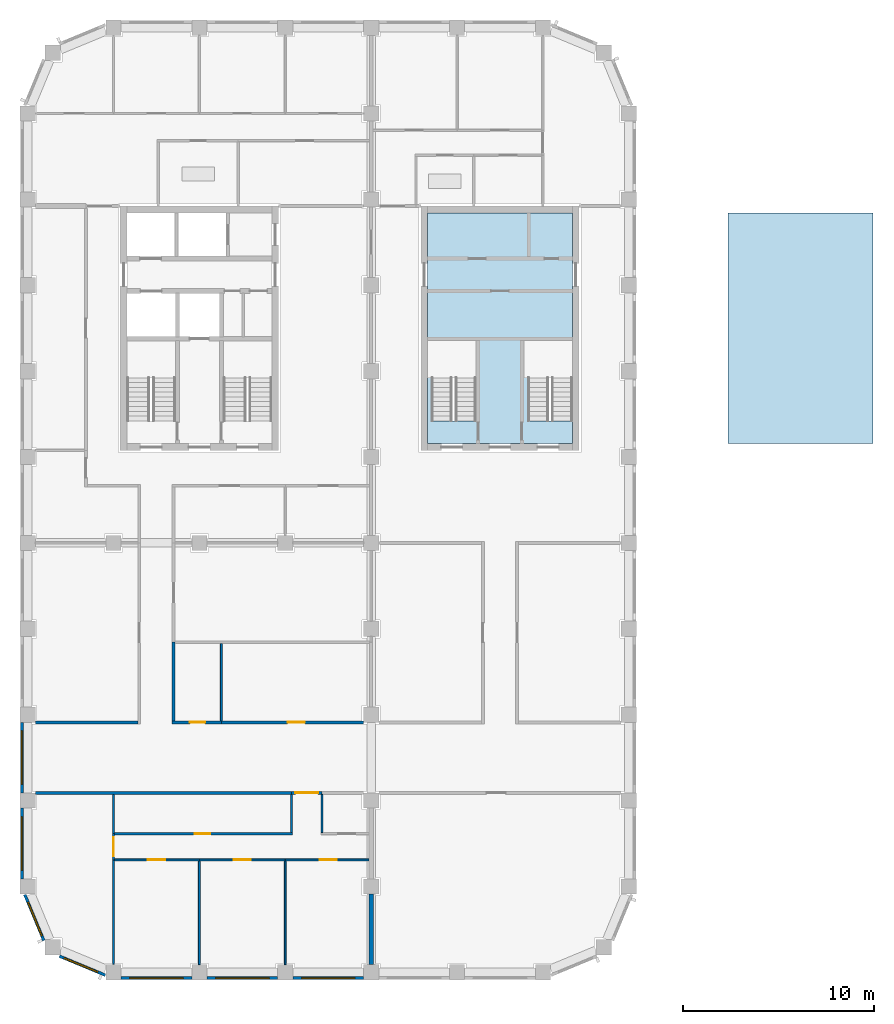
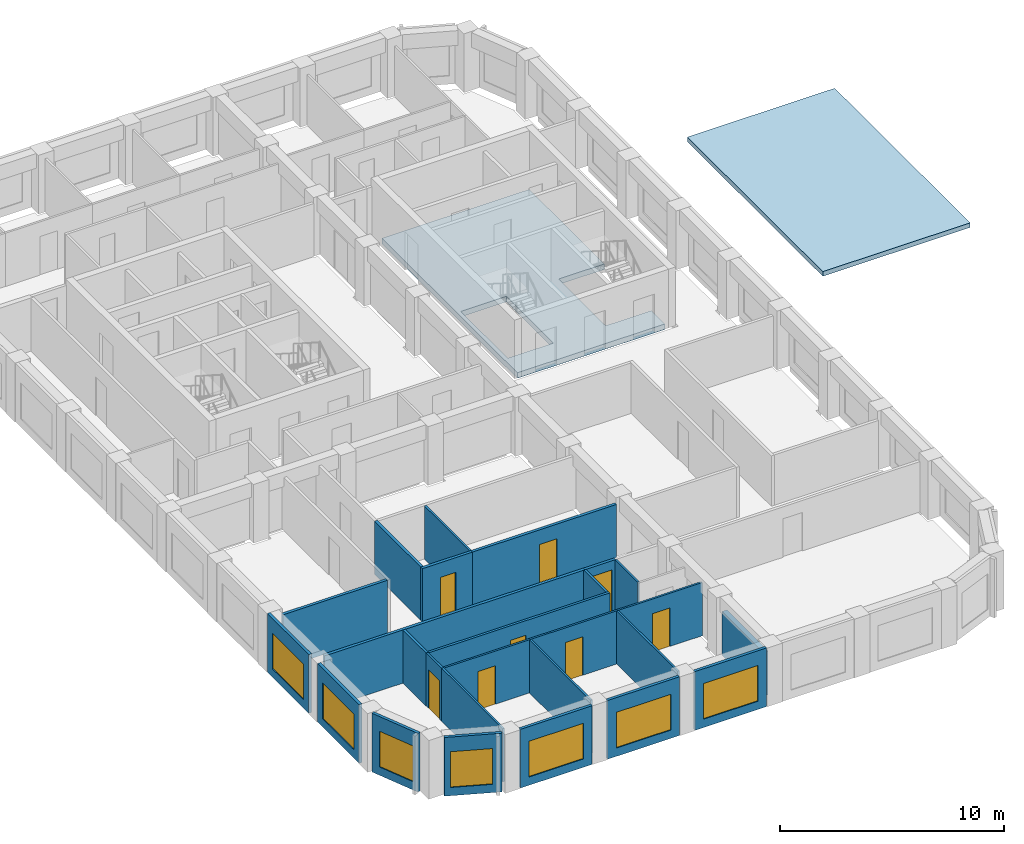
# One storey, part 2 of 9: 26 walls, 8 doors, 7 windows, 2 slabs, 15 openings.
"""IFC4 building model written with IfcOpenShell, lengths in metres."""

from ifc_helpers import new_model, si_unit, direction, frame, frame_2d, origin, place, context, subcontext, project, spatial, polyline, rectangle, outline, extrude, material, layer, layer_set, type_object, element, fill, save


model = new_model("IFC4")

# Units and contexts
model_context = context("Model", 3, precision=1e-05, world=origin(), true_north=direction((0.0, 1.0)))
body_context = subcontext(model_context, "Body", "Model", "MODEL_VIEW")
ifc_project = project(units=[si_unit("LENGTHUNIT", "METRE"), si_unit("AREAUNIT", "SQUARE_METRE"), si_unit("VOLUMEUNIT", "CUBIC_METRE"), si_unit("PLANEANGLEUNIT", "RADIAN"), si_unit("MASSUNIT", "GRAM", prefix="KILO")], contexts=[model_context])

# Site, building, storey
site_placement = place(None, origin())
site = spatial("IfcSite", under=ifc_project, at=site_placement, CompositionType="ELEMENT")
building_placement = place(site_placement, origin())
building = spatial("IfcBuilding", under=site, at=building_placement, Name="Girih Gate Residences", CompositionType="ELEMENT")
storey_placement = place(building_placement, frame((0.0, 0.0, 179.5)))
storey = spatial("IfcBuildingStorey", under=building, at=storey_placement, Name="L49", CompositionType="ELEMENT", Elevation=179.5)

# Slabs
ifc_material_1 = material(Name="Concrete C40/50", Category="concrete")
ifc_layer_1 = layer(ifc_material_1, 0.300048828125)
ifc_layer_set_1 = layer_set([ifc_layer_1], Name="Core floor slab 300")
slab_type_1 = type_object("IfcSlabType", Name="Core floor slab 300", PredefinedType="FLOOR", material=ifc_layer_set_1)
slab_1_placement = place(storey_placement, frame((0.0, 0.0, -0.300048828125)))
element("IfcSlab", 1, at=slab_1_placement, inside=storey, type_object=slab_type_1, Name="L49 C core floor", PredefinedType="FLOOR", context=body_context, shape_type="SweptSolid", body=[
    extrude(outline(polyline([(28.550048828125, 27.699951171875), (20.949951171875, 27.699951171875), (20.949951171875, 39.800048828125), (28.550048828125, 39.800048828125), (28.550048828125, 33.10009765625), (26.199951171875, 33.10009765625), (26.199951171875, 28.900634765625), (28.550048828125, 28.900634765625), (28.550048828125, 27.699951171875)]), holes=[polyline([(23.5, 28.900634765625), (23.5, 33.10009765625), (21.14990234375, 33.10009765625), (21.14990234375, 28.900634765625), (23.5, 28.900634765625)])]), origin(), (0.0, 0.0, 1.0), 0.300048828125),
])
ifc_layer_2 = layer(ifc_material_1, 0.25)
ifc_layer_set_2 = layer_set([ifc_layer_2], Name="Roof slab RC 250 Concrete C40/50")
slab_type_2 = type_object("IfcSlabType", Name="Roof slab RC 250 Concrete C40/50", PredefinedType="ROOF", material=ifc_layer_set_2)
slab_2_placement = place(storey_placement, frame((0.0, 0.0, -0.25)))
element("IfcSlab", 2, at=slab_2_placement, inside=storey, type_object=slab_type_2, Name="Roof slab L49 E", PredefinedType="ROOF", context=body_context, shape_type="SweptSolid", body=[
    extrude(outline(polyline([(44.300048828125, 27.699951171875), (44.300048828125, 39.800048828125), (36.699951171875, 39.800048828125), (36.699951171875, 27.699951171875), (44.300048828125, 27.699951171875)])), origin(), (0.0, 0.0, 1.0), 0.25),
])

# Wall
ifc_material_2 = material(Name="Gypsum board on steel studs", Category="steel")
ifc_layer_3 = layer(ifc_material_2, 0.25)
ifc_layer_set_3 = layer_set([ifc_layer_3], Name="Acoustic separating wall 250 mm")
wall_type_1 = type_object("IfcWallType", Name="Acoustic separating wall 250 mm", PredefinedType="PARTITIONING", material=ifc_layer_set_3)
wall_1_placement = place(storey_placement, frame((18.0, 0.39990234375, 0.0), z_axis=(0.0, 0.0, 1.0), x_axis=(0.0, 1.0, 0.0)))
element("IfcWall", 3, at=wall_1_placement, inside=storey, type_object=wall_type_1, Name="L49 partition", PredefinedType="PARTITIONING", context=body_context, shape_type="SweptSolid", body=[
    extrude(rectangle(XDim=3.7001953125, YDim=0.25, at=frame_2d((1.85009765625, 0.0))), origin(), (0.0, 0.0, 1.0), 2.3798828125),
])

# Wall, opening, door
ifc_layer_4 = layer(ifc_material_2, 0.14990234375)
ifc_layer_set_4 = layer_set([ifc_layer_4], Name="Compartment wall 150 mm")
wall_type_2 = type_object("IfcWallType", Name="Compartment wall 150 mm", PredefinedType="PARTITIONING", material=ifc_layer_set_4)
wall_2_placement = place(storey_placement, frame((15.425048828125, 9.39990234375, 0.0), z_axis=(0.0, 0.0, 1.0), x_axis=(-1.0, 0.0, 0.0)))
wall_2 = element("IfcWall", 4, at=wall_2_placement, inside=storey, type_object=wall_type_2, Name="L49 partition", PredefinedType="PARTITIONING", context=body_context, shape_type="SweptSolid", body=[
    extrude(rectangle(XDim=1.60009765625, YDim=0.14990234375, at=frame_2d((0.800048828125, 0.0))), origin(), (0.0, 0.0, 1.0), 2.89990234375),
])
opening_1_placement = place(wall_2_placement, frame((0.199951171875, 0.0, 0.0)))
opening_1 = element("IfcOpeningElement", 5, at=opening_1_placement, cuts=wall_2, Name="Opening A49-007", PredefinedType="OPENING", context=body_context, shape_type="SweptSolid", body=[
    extrude(rectangle(XDim=1.199951171875, YDim=2.39990234375, at=frame_2d((0.60009765625, 1.199951171875))), frame((0.0, 0.0849609375, 0.0), z_axis=(0.0, -1.0, 0.0), x_axis=(1.0, 0.0, 0.0)), (0.0, 0.0, 1.0), 0.169921875),
])
ifc_material_3 = material(Name="Timber, fire-rated core", Category="wood")
door_type_1 = type_object("IfcDoorType", Name="Villa entrance door 1200x2400 FD30S", OperationType="NOTDEFINED", PredefinedType="DOOR", material=ifc_material_3)
door_1_placement = place(opening_1_placement, origin())
door_1 = element("IfcDoor", 6, at=door_1_placement, inside=storey, type_object=door_type_1, Name="Door A49-007", OperationType="SINGLE_SWING_LEFT", OverallHeight=2.39990234375, OverallWidth=1.199951171875, PredefinedType="DOOR", context=body_context, shape_type="SweptSolid", body=[
    extrude(rectangle(XDim=1.199951171875, YDim=2.39990234375, at=frame_2d((0.60009765625, 1.199951171875))), frame((0.0, 0.02490234375, 0.0), z_axis=(0.0, -1.0, 0.0), x_axis=(1.0, 0.0, 0.0)), (0.0, 0.0, 1.0), 0.050048828125),
])
fill(opening_1, door_1)

# Wall
wall_3_placement = place(storey_placement, frame((0.39990234375, 9.39990234375, 0.0), z_axis=(0.0, 0.0, 1.0), x_axis=(1.0, 0.0, 0.0)))
element("IfcWall", 7, at=wall_3_placement, inside=storey, type_object=wall_type_2, Name="L49 partition", PredefinedType="PARTITIONING", context=body_context, shape_type="SweptSolid", body=[
    extrude(rectangle(XDim=13.425048828125, YDim=0.14990234375, at=frame_2d((6.71240234375, 0.0))), origin(), (0.0, 0.0, 1.0), 2.89990234375),
])

# Wall, opening, door
wall_4_placement = place(storey_placement, frame((10.14990234375, 13.10009765625, 0.0), z_axis=(0.0, 0.0, 1.0), x_axis=(1.0, 0.0, 0.0)))
wall_4 = element("IfcWall", 8, at=wall_4_placement, inside=storey, type_object=wall_type_2, Name="L49 partition", PredefinedType="PARTITIONING", context=body_context, shape_type="SweptSolid", body=[
    extrude(rectangle(XDim=7.4501953125, YDim=0.14990234375, at=frame_2d((3.72509765625, 0.0))), origin(), (0.0, 0.0, 1.0), 2.89990234375),
])
opening_2_placement = place(wall_4_placement, frame((3.47509765625, 0.0, 0.0)))
opening_2 = element("IfcOpeningElement", 9, at=opening_2_placement, cuts=wall_4, Name="Opening A49-026", PredefinedType="OPENING", context=body_context, shape_type="SweptSolid", body=[
    extrude(rectangle(XDim=0.89990234375, YDim=2.10009765625, at=frame_2d((0.449951171875, 1.050048828125))), frame((0.0, 0.0849609375, 0.0), z_axis=(0.0, -1.0, 0.0), x_axis=(1.0, 0.0, 0.0)), (0.0, 0.0, 1.0), 0.169921875),
])
ifc_material_4 = material(Name="Timber", Category="wood")
door_type_2 = type_object("IfcDoorType", Name="Service room door 900x2100", OperationType="NOTDEFINED", PredefinedType="DOOR", material=ifc_material_4)
door_2_placement = place(opening_2_placement, origin())
door_2 = element("IfcDoor", 10, at=door_2_placement, inside=storey, type_object=door_type_2, Name="Door A49-026", OperationType="SINGLE_SWING_RIGHT", OverallHeight=2.10009765625, OverallWidth=0.89990234375, PredefinedType="DOOR", context=body_context, shape_type="SweptSolid", body=[
    extrude(rectangle(XDim=0.89990234375, YDim=2.10009765625, at=frame_2d((0.449951171875, 1.050048828125))), frame((0.0, 0.02490234375, 0.0), z_axis=(0.0, -1.0, 0.0), x_axis=(1.0, 0.0, 0.0)), (0.0, 0.0, 1.0), 0.050048828125),
])
fill(opening_2, door_2)

wall_5_placement = place(storey_placement, frame((7.574951171875, 13.10009765625, 0.0), z_axis=(0.0, 0.0, 1.0), x_axis=(1.0, 0.0, 0.0)))
wall_5 = element("IfcWall", 11, at=wall_5_placement, inside=storey, type_object=wall_type_2, Name="L49 partition", PredefinedType="PARTITIONING", context=body_context, shape_type="SweptSolid", body=[
    extrude(rectangle(XDim=2.574951171875, YDim=0.14990234375, at=frame_2d((1.28759765625, 0.0))), origin(), (0.0, 0.0, 1.0), 2.89990234375),
])
opening_3_placement = place(wall_5_placement, frame((0.925048828125, 0.0, 0.0)))
opening_3 = element("IfcOpeningElement", 12, at=opening_3_placement, cuts=wall_5, Name="Opening A49-027", PredefinedType="OPENING", context=body_context, shape_type="SweptSolid", body=[
    extrude(rectangle(XDim=0.800048828125, YDim=2.10009765625, at=frame_2d((0.39990234375, 1.050048828125))), frame((0.0, 0.0849609375, 0.0), z_axis=(0.0, -1.0, 0.0), x_axis=(1.0, 0.0, 0.0)), (0.0, 0.0, 1.0), 0.169921875),
])
door_type_3 = type_object("IfcDoorType", Name="Bathroom door 800x2100", OperationType="NOTDEFINED", PredefinedType="DOOR", material=ifc_material_4)
door_3_placement = place(opening_3_placement, origin())
door_3 = element("IfcDoor", 13, at=door_3_placement, inside=storey, type_object=door_type_3, Name="Door A49-027", OperationType="SINGLE_SWING_RIGHT", OverallHeight=2.10009765625, OverallWidth=0.800048828125, PredefinedType="DOOR", context=body_context, shape_type="SweptSolid", body=[
    extrude(rectangle(XDim=0.800048828125, YDim=2.10009765625, at=frame_2d((0.39990234375, 1.050048828125))), frame((0.0, 0.02490234375, 0.0), z_axis=(0.0, -1.0, 0.0), x_axis=(1.0, 0.0, 0.0)), (0.0, 0.0, 1.0), 0.050048828125),
])
fill(opening_3, door_3)

# Walls
wall_6_placement = place(storey_placement, frame((0.39990234375, 13.10009765625, 0.0), z_axis=(0.0, 0.0, 1.0), x_axis=(1.0, 0.0, 0.0)))
element("IfcWall", 14, at=wall_6_placement, inside=storey, type_object=wall_type_2, Name="L49 partition", PredefinedType="PARTITIONING", context=body_context, shape_type="SweptSolid", body=[
    extrude(rectangle(XDim=5.375, YDim=0.14990234375, at=frame_2d((2.6875, 0.0))), origin(), (0.0, 0.0, 1.0), 2.89990234375),
])
wall_7_placement = place(storey_placement, frame((7.64990234375, 13.175048828125, 0.0), z_axis=(0.0, 0.0, 1.0), x_axis=(0.0, 1.0, 0.0)))
element("IfcWall", 15, at=wall_7_placement, inside=storey, type_object=wall_type_2, Name="L49 partition", PredefinedType="PARTITIONING", context=body_context, shape_type="SweptSolid", body=[
    extrude(rectangle(XDim=4.125, YDim=0.14990234375, at=frame_2d((2.0625, 0.0))), origin(), (0.0, 0.0, 1.0), 2.89990234375),
])
ifc_layer_5 = layer(ifc_material_2, 0.10009765625)
ifc_layer_set_5 = layer_set([ifc_layer_5], Name="Partition 100 mm")
wall_type_3 = type_object("IfcWallType", Name="Partition 100 mm", PredefinedType="PARTITIONING", material=ifc_layer_set_5)
wall_8_placement = place(storey_placement, frame((9.0, 0.39990234375, 0.0), z_axis=(0.0, 0.0, 1.0), x_axis=(0.0, 1.0, 0.0)))
element("IfcWall", 16, at=wall_8_placement, inside=storey, type_object=wall_type_3, Name="L49 partition", PredefinedType="PARTITIONING", context=body_context, shape_type="SweptSolid", body=[
    extrude(rectangle(XDim=5.440185546875, YDim=0.10009765625, at=frame_2d((2.72021484375, 0.0))), origin(), (0.0, 0.0, 1.0), 2.89990234375),
])

# Wall, opening, door
wall_9_placement = place(storey_placement, frame((9.0, 5.889892578125, 0.0), z_axis=(0.0, 0.0, 1.0), x_axis=(-1.0, 0.0, 0.0)))
wall_9 = element("IfcWall", 17, at=wall_9_placement, inside=storey, type_object=wall_type_3, Name="L49 partition", PredefinedType="PARTITIONING", context=body_context, shape_type="SweptSolid", body=[
    extrude(rectangle(XDim=4.449951171875, YDim=0.10009765625, at=frame_2d((2.22509765625, 0.0))), origin(), (0.0, 0.0, 1.0), 2.89990234375),
])
opening_4_placement = place(wall_9_placement, frame((1.800048828125, 0.0, 0.0)))
opening_4 = element("IfcOpeningElement", 18, at=opening_4_placement, cuts=wall_9, Name="Opening A49-002", PredefinedType="OPENING", context=body_context, shape_type="SweptSolid", body=[
    extrude(rectangle(XDim=0.89990234375, YDim=2.10009765625, at=frame_2d((0.449951171875, 1.050048828125))), frame((0.0, 0.06005859375, 0.0), z_axis=(0.0, -1.0, 0.0), x_axis=(1.0, 0.0, 0.0)), (0.0, 0.0, 1.0), 0.1201171875),
])
door_type_4 = type_object("IfcDoorType", Name="Bedroom door 900x2100", OperationType="NOTDEFINED", PredefinedType="DOOR", material=ifc_material_4)
door_4_placement = place(opening_4_placement, origin())
door_4 = element("IfcDoor", 19, at=door_4_placement, inside=storey, type_object=door_type_4, Name="Door A49-002", OperationType="SINGLE_SWING_RIGHT", OverallHeight=2.10009765625, OverallWidth=0.89990234375, PredefinedType="DOOR", context=body_context, shape_type="SweptSolid", body=[
    extrude(rectangle(XDim=0.89990234375, YDim=2.10009765625, at=frame_2d((0.449951171875, 1.050048828125))), frame((0.0, 0.02490234375, 0.0), z_axis=(0.0, -1.0, 0.0), x_axis=(1.0, 0.0, 0.0)), (0.0, 0.0, 1.0), 0.050048828125),
])
fill(opening_4, door_4)

# Walls
wall_10_placement = place(storey_placement, frame((4.5, 0.432861328125, 0.0), z_axis=(0.0, 0.0, 1.0), x_axis=(0.0, 1.0, 0.0)))
element("IfcWall", 20, at=wall_10_placement, inside=storey, type_object=wall_type_3, Name="L49 partition", PredefinedType="PARTITIONING", context=body_context, shape_type="SweptSolid", body=[
    extrude(rectangle(XDim=5.45703125, YDim=0.10009765625, at=frame_2d((2.728515625, 0.0))), origin(), (0.0, 0.0, 1.0), 2.89990234375),
])
wall_11_placement = place(storey_placement, frame((13.5, 0.39990234375, 0.0), z_axis=(0.0, 0.0, 1.0), x_axis=(0.0, 1.0, 0.0)))
element("IfcWall", 21, at=wall_11_placement, inside=storey, type_object=wall_type_3, Name="L49 partition", PredefinedType="PARTITIONING", context=body_context, shape_type="SweptSolid", body=[
    extrude(rectangle(XDim=5.440185546875, YDim=0.10009765625, at=frame_2d((2.72021484375, 0.0))), origin(), (0.0, 0.0, 1.0), 2.89990234375),
])

# Wall, opening, door
wall_12_placement = place(storey_placement, frame((13.5, 5.889892578125, 0.0), z_axis=(0.0, 0.0, 1.0), x_axis=(-1.0, 0.0, 0.0)))
wall_12 = element("IfcWall", 22, at=wall_12_placement, inside=storey, type_object=wall_type_3, Name="L49 partition", PredefinedType="PARTITIONING", context=body_context, shape_type="SweptSolid", body=[
    extrude(rectangle(XDim=4.5, YDim=0.10009765625, at=frame_2d((2.25, 0.0))), origin(), (0.0, 0.0, 1.0), 2.89990234375),
])
opening_5_placement = place(wall_12_placement, frame((1.800048828125, 0.0, 0.0)))
opening_5 = element("IfcOpeningElement", 23, at=opening_5_placement, cuts=wall_12, Name="Opening A49-003", PredefinedType="OPENING", context=body_context, shape_type="SweptSolid", body=[
    extrude(rectangle(XDim=0.89990234375, YDim=2.10009765625, at=frame_2d((0.449951171875, 1.050048828125))), frame((0.0, 0.06005859375, 0.0), z_axis=(0.0, -1.0, 0.0), x_axis=(1.0, 0.0, 0.0)), (0.0, 0.0, 1.0), 0.1201171875),
])
door_5_placement = place(opening_5_placement, origin())
door_5 = element("IfcDoor", 24, at=door_5_placement, inside=storey, type_object=door_type_4, Name="Door A49-003", OperationType="SINGLE_SWING_LEFT", OverallHeight=2.10009765625, OverallWidth=0.89990234375, PredefinedType="DOOR", context=body_context, shape_type="SweptSolid", body=[
    extrude(rectangle(XDim=0.89990234375, YDim=2.10009765625, at=frame_2d((0.449951171875, 1.050048828125))), frame((0.0, 0.02490234375, 0.0), z_axis=(0.0, -1.0, 0.0), x_axis=(1.0, 0.0, 0.0)), (0.0, 0.0, 1.0), 0.050048828125),
])
fill(opening_5, door_5)

wall_13_placement = place(storey_placement, frame((17.875, 5.889892578125, 0.0), z_axis=(0.0, 0.0, 1.0), x_axis=(-1.0, 0.0, 0.0)))
wall_13 = element("IfcWall", 25, at=wall_13_placement, inside=storey, type_object=wall_type_3, Name="L49 partition", PredefinedType="PARTITIONING", context=body_context, shape_type="SweptSolid", body=[
    extrude(rectangle(XDim=4.375, YDim=0.10009765625, at=frame_2d((2.1875, 0.0))), origin(), (0.0, 0.0, 1.0), 2.89990234375),
])
opening_6_placement = place(wall_13_placement, frame((1.675048828125, 0.0, 0.0)))
opening_6 = element("IfcOpeningElement", 26, at=opening_6_placement, cuts=wall_13, Name="Opening A49-004", PredefinedType="OPENING", context=body_context, shape_type="SweptSolid", body=[
    extrude(rectangle(XDim=0.89990234375, YDim=2.10009765625, at=frame_2d((0.449951171875, 1.050048828125))), frame((0.0, 0.06005859375, 0.0), z_axis=(0.0, -1.0, 0.0), x_axis=(1.0, 0.0, 0.0)), (0.0, 0.0, 1.0), 0.1201171875),
])
door_6_placement = place(opening_6_placement, origin())
door_6 = element("IfcDoor", 27, at=door_6_placement, inside=storey, type_object=door_type_4, Name="Door A49-004", OperationType="SINGLE_SWING_LEFT", OverallHeight=2.10009765625, OverallWidth=0.89990234375, PredefinedType="DOOR", context=body_context, shape_type="SweptSolid", body=[
    extrude(rectangle(XDim=0.89990234375, YDim=2.10009765625, at=frame_2d((0.449951171875, 1.050048828125))), frame((0.0, 0.02490234375, 0.0), z_axis=(0.0, -1.0, 0.0), x_axis=(1.0, 0.0, 0.0)), (0.0, 0.0, 1.0), 0.050048828125),
])
fill(opening_6, door_6)

# Wall
wall_14_placement = place(storey_placement, frame((15.425048828125, 7.320068359375, 0.0), z_axis=(0.0, 0.0, 1.0), x_axis=(0.0, 1.0, 0.0)))
element("IfcWall", 28, at=wall_14_placement, inside=storey, type_object=wall_type_3, Name="L49 partition", PredefinedType="PARTITIONING", context=body_context, shape_type="SweptSolid", body=[
    extrude(rectangle(XDim=2.0048828125, YDim=0.10009765625, at=frame_2d((1.00244140625, 0.0))), origin(), (0.0, 0.0, 1.0), 2.89990234375),
])

# Wall, opening, door
wall_15_placement = place(storey_placement, frame((4.5, 5.889892578125, 0.0), z_axis=(0.0, 0.0, 1.0), x_axis=(0.0, 1.0, 0.0)))
wall_15 = element("IfcWall", 29, at=wall_15_placement, inside=storey, type_object=wall_type_3, Name="L49 partition", PredefinedType="PARTITIONING", context=body_context, shape_type="SweptSolid", body=[
    extrude(rectangle(XDim=1.380126953125, YDim=0.10009765625, at=frame_2d((0.68994140625, 0.0))), origin(), (0.0, 0.0, 1.0), 2.89990234375),
])
opening_7_placement = place(wall_15_placement, frame((0.18994140625, 0.0, 0.0)))
opening_7 = element("IfcOpeningElement", 30, at=opening_7_placement, cuts=wall_15, Name="Opening A49-006", PredefinedType="OPENING", context=body_context, shape_type="SweptSolid", body=[
    extrude(rectangle(XDim=1.0, YDim=2.10009765625, at=frame_2d((0.5, 1.050048828125))), frame((0.0, 0.06005859375, 0.0), z_axis=(0.0, -1.0, 0.0), x_axis=(1.0, 0.0, 0.0)), (0.0, 0.0, 1.0), 0.1201171875),
])
door_type_5 = type_object("IfcDoorType", Name="Living room door 1000x2100", OperationType="NOTDEFINED", PredefinedType="DOOR", material=ifc_material_4)
door_7_placement = place(opening_7_placement, origin())
door_7 = element("IfcDoor", 31, at=door_7_placement, inside=storey, type_object=door_type_5, Name="Door A49-006", OperationType="SINGLE_SWING_RIGHT", OverallHeight=2.10009765625, OverallWidth=1.0, PredefinedType="DOOR", context=body_context, shape_type="SweptSolid", body=[
    extrude(rectangle(XDim=1.0, YDim=2.10009765625, at=frame_2d((0.5, 1.050048828125))), frame((0.0, 0.02490234375, 0.0), z_axis=(0.0, -1.0, 0.0), x_axis=(1.0, 0.0, 0.0)), (0.0, 0.0, 1.0), 0.050048828125),
])
fill(opening_7, door_7)

# Wall
wall_16_placement = place(storey_placement, frame((10.14990234375, 13.175048828125, 0.0), z_axis=(0.0, 0.0, 1.0), x_axis=(0.0, 1.0, 0.0)))
element("IfcWall", 32, at=wall_16_placement, inside=storey, type_object=wall_type_3, Name="L49 partition", PredefinedType="PARTITIONING", context=body_context, shape_type="SweptSolid", body=[
    extrude(rectangle(XDim=4.050048828125, YDim=0.10009765625, at=frame_2d((2.02490234375, 0.0))), origin(), (0.0, 0.0, 1.0), 2.89990234375),
])

# Wall, opening, window
ifc_material_5 = material(Name="Precast concrete C50/60", Category="concrete")
ifc_layer_6 = layer(ifc_material_5, 0.050048828125, Name="Outer leaf")
ifc_material_6 = material(Name="Rigid PIR insulation")
ifc_layer_7 = layer(ifc_material_6, 0.06005859375, Name="Insulation")
ifc_material_7 = material(Name="Precast concrete C40/50", Category="concrete")
ifc_layer_8 = layer(ifc_material_7, 0.0400390625, Name="Inner leaf")
ifc_layer_set_6 = layer_set([ifc_layer_6, ifc_layer_7, ifc_layer_8], Name="Precast concrete C50/60 external wall 150")
wall_type_4 = type_object("IfcWallType", Name="Precast concrete C50/60 external wall 150", PredefinedType="SOLIDWALL", material=ifc_layer_set_6)
wall_17_placement = place(storey_placement, frame((-0.300048828125, 9.39990234375, 0.0), z_axis=(0.0, 0.0, 1.0), x_axis=(0.0, 1.0, 0.0)))
wall_17 = element("IfcWall", 33, at=wall_17_placement, inside=storey, type_object=wall_type_4, Name="External wall W0000_0450.7", PredefinedType="SOLIDWALL", context=body_context, shape_type="SweptSolid", body=[
    extrude(rectangle(XDim=3.7001953125, YDim=0.14990234375, at=frame_2d((1.85009765625, 0.0))), origin(), (0.0, 0.0, 1.0), 3.199951171875),
])
opening_8_placement = place(wall_17_placement, frame((0.449951171875, 0.0, 0.449951171875)))
opening_8 = element("IfcOpeningElement", 34, at=opening_8_placement, cuts=wall_17, Name="Opening W-1B", PredefinedType="OPENING", context=body_context, shape_type="SweptSolid", body=[
    extrude(rectangle(XDim=2.800048828125, YDim=1.949951171875, at=frame_2d((1.39990234375, 0.97509765625))), frame((0.0, 0.0849609375, 0.0), z_axis=(0.0, -1.0, 0.0), x_axis=(1.0, 0.0, 0.0)), (0.0, 0.0, 1.0), 0.169921875),
])
ifc_material_8 = material(Name="Double glazing in aluminium frame", Category="aluminium")
window_type_1 = type_object("IfcWindowType", Name="Window W-1B 2800x1950", PartitioningType="SINGLE_PANEL", PredefinedType="WINDOW", material=ifc_material_8)
window_1_placement = place(opening_8_placement, origin())
window_1 = element("IfcWindow", 35, at=window_1_placement, inside=storey, type_object=window_type_1, Name="Window W-1B W0000_0450.7", OverallHeight=1.949951171875, OverallWidth=2.800048828125, PartitioningType="SINGLE_PANEL", PredefinedType="WINDOW", context=body_context, shape_type="SweptSolid", body=[
    extrude(rectangle(XDim=2.800048828125, YDim=1.949951171875, at=frame_2d((1.39990234375, 0.97509765625))), frame((0.0, 0.030029296875, 0.0), z_axis=(0.0, -1.0, 0.0), x_axis=(1.0, 0.0, 0.0)), (0.0, 0.0, 1.0), 0.06005859375),
])
fill(opening_8, window_1)

wall_18_placement = place(storey_placement, frame((-0.300048828125, 4.89990234375, 0.0), z_axis=(0.0, 0.0, 1.0), x_axis=(0.0, 1.0, 0.0)))
wall_18 = element("IfcWall", 36, at=wall_18_placement, inside=storey, type_object=wall_type_4, Name="External wall W0000_0450.8", PredefinedType="SOLIDWALL", context=body_context, shape_type="SweptSolid", body=[
    extrude(rectangle(XDim=3.7001953125, YDim=0.14990234375, at=frame_2d((1.85009765625, 0.0))), origin(), (0.0, 0.0, 1.0), 3.199951171875),
])
opening_9_placement = place(wall_18_placement, frame((0.449951171875, 0.0, 0.449951171875)))
opening_9 = element("IfcOpeningElement", 37, at=opening_9_placement, cuts=wall_18, Name="Opening W-1B", PredefinedType="OPENING", context=body_context, shape_type="SweptSolid", body=[
    extrude(rectangle(XDim=2.800048828125, YDim=1.949951171875, at=frame_2d((1.39990234375, 0.97509765625))), frame((0.0, 0.0849609375, 0.0), z_axis=(0.0, -1.0, 0.0), x_axis=(1.0, 0.0, 0.0)), (0.0, 0.0, 1.0), 0.169921875),
])
window_2_placement = place(opening_9_placement, origin())
window_2 = element("IfcWindow", 38, at=window_2_placement, inside=storey, type_object=window_type_1, Name="Window W-1B W0000_0450.8", OverallHeight=1.949951171875, OverallWidth=2.800048828125, PartitioningType="SINGLE_PANEL", PredefinedType="WINDOW", context=body_context, shape_type="SweptSolid", body=[
    extrude(rectangle(XDim=2.800048828125, YDim=1.949951171875, at=frame_2d((1.39990234375, 0.97509765625))), frame((0.0, 0.030029296875, 0.0), z_axis=(0.0, -1.0, 0.0), x_axis=(1.0, 0.0, 0.0)), (0.0, 0.0, 1.0), 0.06005859375),
])
fill(opening_9, window_2)

wall_19_placement = place(storey_placement, frame((0.8486328125, 1.6669921875, 0.0), z_axis=(0.0, 0.0, 1.0), x_axis=(-0.382669406082, 0.923885342263, 0.0)))
wall_19 = element("IfcWall", 39, at=wall_19_placement, inside=storey, type_object=wall_type_4, Name="External wall SW0000_0045.0", PredefinedType="SOLIDWALL", context=body_context, shape_type="SweptSolid", body=[
    extrude(rectangle(XDim=2.602294921875, YDim=0.14990234375, at=frame_2d((1.30126953125, 0.0))), origin(), (0.0, 0.0, 1.0), 3.199951171875),
])
opening_10_placement = place(wall_19_placement, frame((0.27001953125, 0.0, 0.449951171875)))
opening_10 = element("IfcOpeningElement", 40, at=opening_10_placement, cuts=wall_19, Name="Opening W-2G", PredefinedType="OPENING", context=body_context, shape_type="SweptSolid", body=[
    extrude(rectangle(XDim=1.89990234375, YDim=1.949951171875, at=frame_2d((0.949951171875, 0.97509765625))), frame((0.0, 0.0849609375, 0.0), z_axis=(0.0, -1.0, 0.0), x_axis=(1.0, 0.0, 0.0)), (0.0, 0.0, 1.0), 0.169921875),
])
window_type_2 = type_object("IfcWindowType", Name="Window W-2G 1900x1950", PartitioningType="SINGLE_PANEL", PredefinedType="WINDOW", material=ifc_material_8)
window_3_placement = place(opening_10_placement, origin())
window_3 = element("IfcWindow", 41, at=window_3_placement, inside=storey, type_object=window_type_2, Name="Window W-2G SW0000_0045.0", OverallHeight=1.949951171875, OverallWidth=1.89990234375, PartitioningType="SINGLE_PANEL", PredefinedType="WINDOW", context=body_context, shape_type="SweptSolid", body=[
    extrude(rectangle(XDim=1.89990234375, YDim=1.949951171875, at=frame_2d((0.949951171875, 0.97509765625))), frame((0.0, 0.030029296875, 0.0), z_axis=(0.0, -1.0, 0.0), x_axis=(1.0, 0.0, 0.0)), (0.0, 0.0, 1.0), 0.06005859375),
])
fill(opening_10, window_3)

wall_20_placement = place(storey_placement, frame((4.0712890625, -0.147216796875, 0.0), z_axis=(0.0, 0.0, 1.0), x_axis=(-0.923885342263, 0.382669406082, 0.0)))
wall_20 = element("IfcWall", 42, at=wall_20_placement, inside=storey, type_object=wall_type_4, Name="External wall SW0013_0013.0", PredefinedType="SOLIDWALL", context=body_context, shape_type="SweptSolid", body=[
    extrude(rectangle(XDim=2.602294921875, YDim=0.14990234375, at=frame_2d((1.30126953125, 0.0))), origin(), (0.0, 0.0, 1.0), 3.199951171875),
])
opening_11_placement = place(wall_20_placement, frame((0.432373046875, 0.0, 0.449951171875)))
opening_11 = element("IfcOpeningElement", 43, at=opening_11_placement, cuts=wall_20, Name="Opening W-2G", PredefinedType="OPENING", context=body_context, shape_type="SweptSolid", body=[
    extrude(rectangle(XDim=1.89990234375, YDim=1.949951171875, at=frame_2d((0.949951171875, 0.97509765625))), frame((0.0, 0.0849609375, 0.0), z_axis=(0.0, -1.0, 0.0), x_axis=(1.0, 0.0, 0.0)), (0.0, 0.0, 1.0), 0.169921875),
])
window_4_placement = place(opening_11_placement, origin())
window_4 = element("IfcWindow", 44, at=window_4_placement, inside=storey, type_object=window_type_2, Name="Window W-2G SW0013_0013.0", OverallHeight=1.949951171875, OverallWidth=1.89990234375, PartitioningType="SINGLE_PANEL", PredefinedType="WINDOW", context=body_context, shape_type="SweptSolid", body=[
    extrude(rectangle(XDim=1.89990234375, YDim=1.949951171875, at=frame_2d((0.949951171875, 0.97509765625))), frame((0.0, 0.030029296875, 0.0), z_axis=(0.0, -1.0, 0.0), x_axis=(1.0, 0.0, 0.0)), (0.0, 0.0, 1.0), 0.06005859375),
])
fill(opening_11, window_4)

wall_21_placement = place(storey_placement, frame((8.60009765625, -0.300048828125, 0.0), z_axis=(0.0, 0.0, 1.0), x_axis=(-1.0, 0.0, 0.0)))
wall_21 = element("IfcWall", 45, at=wall_21_placement, inside=storey, type_object=wall_type_4, Name="External wall S0045_0000.0", PredefinedType="SOLIDWALL", context=body_context, shape_type="SweptSolid", body=[
    extrude(rectangle(XDim=3.7001953125, YDim=0.14990234375, at=frame_2d((1.85009765625, 0.0))), origin(), (0.0, 0.0, 1.0), 3.199951171875),
])
opening_12_placement = place(wall_21_placement, frame((0.449951171875, 0.0, 0.449951171875)))
opening_12 = element("IfcOpeningElement", 46, at=opening_12_placement, cuts=wall_21, Name="Opening W-1B", PredefinedType="OPENING", context=body_context, shape_type="SweptSolid", body=[
    extrude(rectangle(XDim=2.800048828125, YDim=1.949951171875, at=frame_2d((1.39990234375, 0.97509765625))), frame((0.0, 0.0849609375, 0.0), z_axis=(0.0, -1.0, 0.0), x_axis=(1.0, 0.0, 0.0)), (0.0, 0.0, 1.0), 0.169921875),
])
window_5_placement = place(opening_12_placement, origin())
window_5 = element("IfcWindow", 47, at=window_5_placement, inside=storey, type_object=window_type_1, Name="Window W-1B S0045_0000.0", OverallHeight=1.949951171875, OverallWidth=2.800048828125, PartitioningType="SINGLE_PANEL", PredefinedType="WINDOW", context=body_context, shape_type="SweptSolid", body=[
    extrude(rectangle(XDim=2.800048828125, YDim=1.949951171875, at=frame_2d((1.39990234375, 0.97509765625))), frame((0.0, 0.030029296875, 0.0), z_axis=(0.0, -1.0, 0.0), x_axis=(1.0, 0.0, 0.0)), (0.0, 0.0, 1.0), 0.06005859375),
])
fill(opening_12, window_5)

wall_22_placement = place(storey_placement, frame((13.10009765625, -0.300048828125, 0.0), z_axis=(0.0, 0.0, 1.0), x_axis=(-1.0, 0.0, 0.0)))
wall_22 = element("IfcWall", 48, at=wall_22_placement, inside=storey, type_object=wall_type_4, Name="External wall S0045_0000.1", PredefinedType="SOLIDWALL", context=body_context, shape_type="SweptSolid", body=[
    extrude(rectangle(XDim=3.7001953125, YDim=0.14990234375, at=frame_2d((1.85009765625, 0.0))), origin(), (0.0, 0.0, 1.0), 3.199951171875),
])
opening_13_placement = place(wall_22_placement, frame((0.449951171875, 0.0, 0.449951171875)))
opening_13 = element("IfcOpeningElement", 49, at=opening_13_placement, cuts=wall_22, Name="Opening W-1B", PredefinedType="OPENING", context=body_context, shape_type="SweptSolid", body=[
    extrude(rectangle(XDim=2.800048828125, YDim=1.949951171875, at=frame_2d((1.39990234375, 0.97509765625))), frame((0.0, 0.0849609375, 0.0), z_axis=(0.0, -1.0, 0.0), x_axis=(1.0, 0.0, 0.0)), (0.0, 0.0, 1.0), 0.169921875),
])
window_6_placement = place(opening_13_placement, origin())
window_6 = element("IfcWindow", 50, at=window_6_placement, inside=storey, type_object=window_type_1, Name="Window W-1B S0045_0000.1", OverallHeight=1.949951171875, OverallWidth=2.800048828125, PartitioningType="SINGLE_PANEL", PredefinedType="WINDOW", context=body_context, shape_type="SweptSolid", body=[
    extrude(rectangle(XDim=2.800048828125, YDim=1.949951171875, at=frame_2d((1.39990234375, 0.97509765625))), frame((0.0, 0.030029296875, 0.0), z_axis=(0.0, -1.0, 0.0), x_axis=(1.0, 0.0, 0.0)), (0.0, 0.0, 1.0), 0.06005859375),
])
fill(opening_13, window_6)

wall_23_placement = place(storey_placement, frame((17.60009765625, -0.300048828125, 0.0), z_axis=(0.0, 0.0, 1.0), x_axis=(-1.0, 0.0, 0.0)))
wall_23 = element("IfcWall", 51, at=wall_23_placement, inside=storey, type_object=wall_type_4, Name="External wall S0045_0000.2", PredefinedType="SOLIDWALL", context=body_context, shape_type="SweptSolid", body=[
    extrude(rectangle(XDim=3.7001953125, YDim=0.14990234375, at=frame_2d((1.85009765625, 0.0))), origin(), (0.0, 0.0, 1.0), 3.199951171875),
])
opening_14_placement = place(wall_23_placement, frame((0.449951171875, 0.0, 0.449951171875)))
opening_14 = element("IfcOpeningElement", 52, at=opening_14_placement, cuts=wall_23, Name="Opening W-1B", PredefinedType="OPENING", context=body_context, shape_type="SweptSolid", body=[
    extrude(rectangle(XDim=2.800048828125, YDim=1.949951171875, at=frame_2d((1.39990234375, 0.97509765625))), frame((0.0, 0.0849609375, 0.0), z_axis=(0.0, -1.0, 0.0), x_axis=(1.0, 0.0, 0.0)), (0.0, 0.0, 1.0), 0.169921875),
])
window_7_placement = place(opening_14_placement, origin())
window_7 = element("IfcWindow", 53, at=window_7_placement, inside=storey, type_object=window_type_1, Name="Window W-1B S0045_0000.2", OverallHeight=1.949951171875, OverallWidth=2.800048828125, PartitioningType="SINGLE_PANEL", PredefinedType="WINDOW", context=body_context, shape_type="SweptSolid", body=[
    extrude(rectangle(XDim=2.800048828125, YDim=1.949951171875, at=frame_2d((1.39990234375, 0.97509765625))), frame((0.0, 0.030029296875, 0.0), z_axis=(0.0, -1.0, 0.0), x_axis=(1.0, 0.0, 0.0)), (0.0, 0.0, 1.0), 0.06005859375),
])
fill(opening_14, window_7)

# Wall
ifc_layer_9 = layer(ifc_material_2, 0.125)
ifc_layer_set_7 = layer_set([ifc_layer_9], Name="Wet room wall 125 mm")
wall_type_5 = type_object("IfcWallType", Name="Wet room wall 125 mm", PredefinedType="PARTITIONING", material=ifc_layer_set_7)
wall_24_placement = place(storey_placement, frame((13.824951171875, 7.33251953125, 0.0), z_axis=(0.0, 0.0, 1.0), x_axis=(0.0, 1.0, 0.0)))
element("IfcWall", 54, at=wall_24_placement, inside=storey, type_object=wall_type_5, Name="L49 partition", PredefinedType="PARTITIONING", context=body_context, shape_type="SweptSolid", body=[
    extrude(rectangle(XDim=1.992431640625, YDim=0.125, at=frame_2d((0.99609375, 0.0))), origin(), (0.0, 0.0, 1.0), 2.89990234375),
])

# Wall, opening, door
wall_25_placement = place(storey_placement, frame((4.5625, 7.27001953125, 0.0), z_axis=(0.0, 0.0, 1.0), x_axis=(1.0, 0.0, 0.0)))
wall_25 = element("IfcWall", 55, at=wall_25_placement, inside=storey, type_object=wall_type_5, Name="L49 partition", PredefinedType="PARTITIONING", context=body_context, shape_type="SweptSolid", body=[
    extrude(rectangle(XDim=9.324951171875, YDim=0.125, at=frame_2d((4.66259765625, 0.0))), origin(), (0.0, 0.0, 1.0), 2.89990234375),
])
opening_15_placement = place(wall_25_placement, frame((4.199951171875, 0.0, 0.0)))
opening_15 = element("IfcOpeningElement", 56, at=opening_15_placement, cuts=wall_25, Name="Opening A49-001", PredefinedType="OPENING", context=body_context, shape_type="SweptSolid", body=[
    extrude(rectangle(XDim=0.800048828125, YDim=2.10009765625, at=frame_2d((0.39990234375, 1.050048828125))), frame((0.0, 0.072509765625, 0.0), z_axis=(0.0, -1.0, 0.0), x_axis=(1.0, 0.0, 0.0)), (0.0, 0.0, 1.0), 0.14501953125),
])
door_8_placement = place(opening_15_placement, origin())
door_8 = element("IfcDoor", 57, at=door_8_placement, inside=storey, type_object=door_type_3, Name="Door A49-001", OperationType="SINGLE_SWING_LEFT", OverallHeight=2.10009765625, OverallWidth=0.800048828125, PredefinedType="DOOR", context=body_context, shape_type="SweptSolid", body=[
    extrude(rectangle(XDim=0.800048828125, YDim=2.10009765625, at=frame_2d((0.39990234375, 1.050048828125))), frame((0.0, 0.02490234375, 0.0), z_axis=(0.0, -1.0, 0.0), x_axis=(1.0, 0.0, 0.0)), (0.0, 0.0, 1.0), 0.050048828125),
])
fill(opening_15, door_8)

# Wall
wall_26_placement = place(storey_placement, frame((4.5, 7.27001953125, 0.0), z_axis=(0.0, 0.0, 1.0), x_axis=(0.0, 1.0, 0.0)))
element("IfcWall", 58, at=wall_26_placement, inside=storey, type_object=wall_type_5, Name="L49 partition", PredefinedType="PARTITIONING", context=body_context, shape_type="SweptSolid", body=[
    extrude(rectangle(XDim=2.054931640625, YDim=0.125, at=frame_2d((1.02734375, 0.0))), origin(), (0.0, 0.0, 1.0), 2.89990234375),
])

save(model, "model.ifc")
